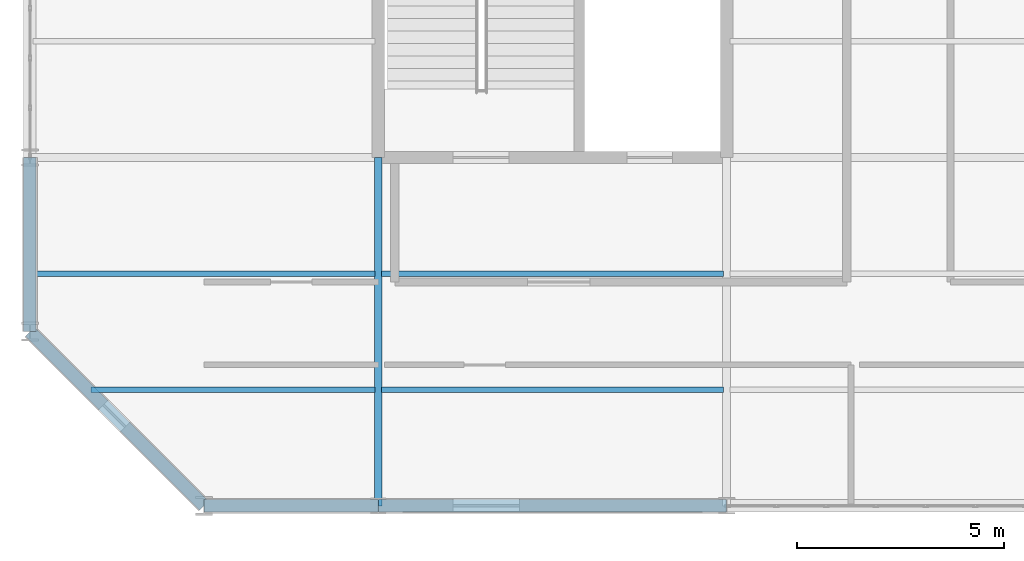
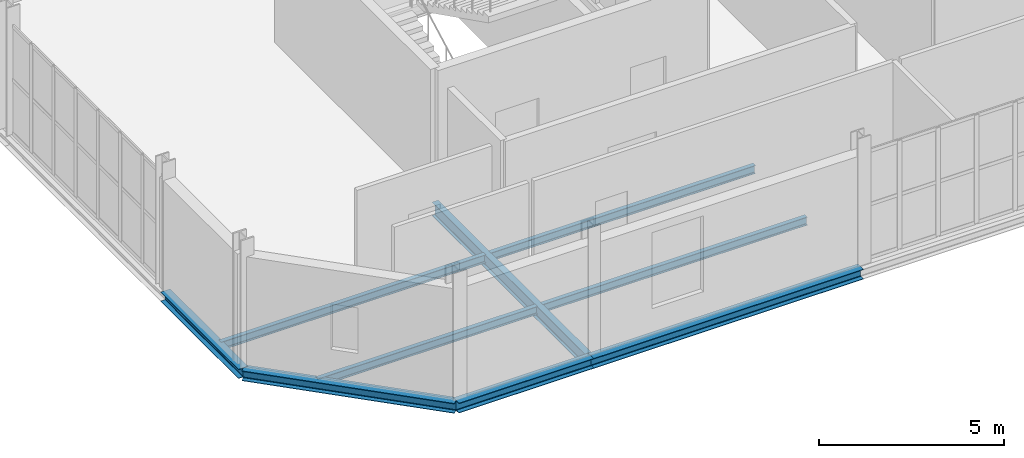
# One storey, part 25 of 163: 9 beams.
"""IFC4 building model written with IfcOpenShell, lengths in metres."""

from ifc_helpers import new_model, si_unit, direction, frame, origin, origin_2d, place, context, subcontext, project, spatial, i_section, extrude, material, material_profile, profile_set, type_object, element, save


model = new_model("IFC4")

# Units and contexts
model_context = context("Model", 3, precision=1e-05, world=origin(), true_north=direction((0.0, 1.0)))
body_context = subcontext(model_context, "Body", "Model", "MODEL_VIEW")
ifc_project = project(units=[si_unit("LENGTHUNIT", "METRE"), si_unit("AREAUNIT", "SQUARE_METRE"), si_unit("VOLUMEUNIT", "CUBIC_METRE"), si_unit("PLANEANGLEUNIT", "RADIAN"), si_unit("MASSUNIT", "GRAM", prefix="KILO")], contexts=[model_context])

# Site, building, storey
site_placement = place(None, origin())
site = spatial("IfcSite", under=ifc_project, at=site_placement, CompositionType="ELEMENT")
building_placement = place(site_placement, origin())
building = spatial("IfcBuilding", under=site, at=building_placement, Name="Qalvenar Corner Mobility Hub", CompositionType="ELEMENT")
storey_placement = place(building_placement, frame((0.0, 0.0, 4.800048828125)))
storey = spatial("IfcBuildingStorey", under=building, at=storey_placement, Name="L01", CompositionType="ELEMENT", Elevation=4.800048828125)

# Beams
ifc_material = material(Name="Steel S355", Category="steel")
ifc_material_profile_1 = material_profile(ifc_material, i_section(OverallWidth=0.18994140625, OverallDepth=0.449951171875, WebThickness=0.009521484375, FlangeThickness=0.0146484375, FilletRadius=0.02099609375, at=origin_2d()), Name="IPE450")
ifc_profile_set_1 = profile_set([ifc_material_profile_1], Name="Steel S355")
beam_type_1 = type_object("IfcBeamType", Name="BM-IPE450", PredefinedType="BEAM", material=ifc_profile_set_1)
beam_1_placement = place(storey_placement, frame((8.39990234375, 0.0, -0.405029296875), z_axis=(0.0, 1.0, 0.0), x_axis=(-1.0, 0.0, 0.0)))
element("IfcBeam", 1, at=beam_1_placement, inside=storey, type_object=beam_type_1, Name="Primary Steel Girder GY-0856", PredefinedType="BEAM", context=body_context, shape_type="SweptSolid", body=[
    extrude(i_section(OverallWidth=0.18994140625, OverallDepth=0.449951171875, WebThickness=0.009521484375, FlangeThickness=0.0146484375, FilletRadius=0.02099609375, at=origin_2d()), origin(), (0.0, 0.0, 1.0), 8.39990234375),
])
ifc_material_profile_2 = material_profile(ifc_material, i_section(OverallWidth=0.135009765625, OverallDepth=0.27001953125, WebThickness=0.006591796875, FlangeThickness=0.01025390625, FilletRadius=0.014892578125, at=origin_2d()), Name="IPE270")
ifc_profile_set_2 = profile_set([ifc_material_profile_2], Name="Steel S355")
beam_type_2 = type_object("IfcBeamType", Name="BM-JST270", PredefinedType="JOIST", material=ifc_profile_set_2)
beam_2_placement = place(storey_placement, frame((1.47802734375, 2.800048828125, -0.31494140625), z_axis=(1.0, 0.0, 0.0), x_axis=(0.0, 1.0, 0.0)))
element("IfcBeam", 2, at=beam_2_placement, inside=storey, type_object=beam_type_2, Name="Composite Floor Joist J-0887", PredefinedType="JOIST", context=body_context, shape_type="SweptSolid", body=[
    extrude(i_section(OverallWidth=0.135009765625, OverallDepth=0.27001953125, WebThickness=0.006591796875, FlangeThickness=0.01025390625, FilletRadius=0.014892578125, at=origin_2d()), origin(), (0.0, 0.0, 1.0), 6.843994140625),
])
beam_3_placement = place(storey_placement, frame((0.077880859375, 5.60009765625, -0.31494140625), z_axis=(1.0, 0.0, 0.0), x_axis=(0.0, 1.0, 0.0)))
element("IfcBeam", 3, at=beam_3_placement, inside=storey, type_object=beam_type_2, Name="Composite Floor Joist J-0888", PredefinedType="JOIST", context=body_context, shape_type="SweptSolid", body=[
    extrude(i_section(OverallWidth=0.135009765625, OverallDepth=0.27001953125, WebThickness=0.006591796875, FlangeThickness=0.01025390625, FilletRadius=0.014892578125, at=origin_2d()), origin(), (0.0, 0.0, 1.0), 8.244140625),
])
for number, where, z_axis, x_axis, name in (
    (4, (8.47802734375, 2.800048828125, -0.31494140625), (1.0, 0.0, 0.0), (0.0, 1.0, 0.0), "Composite Floor Joist J-0897"),
    (5, (8.47802734375, 5.60009765625, -0.31494140625), (1.0, 0.0, 0.0), (0.0, 1.0, 0.0), "Composite Floor Joist J-0898"),
):
    element("IfcBeam", number, at=place(storey_placement, frame(where, z_axis=z_axis, x_axis=x_axis)), inside=storey, type_object=beam_type_2, Name=name, PredefinedType="JOIST", context=body_context, shape_type="SweptSolid", body=[
        extrude(i_section(OverallWidth=0.135009765625, OverallDepth=0.27001953125, WebThickness=0.006591796875, FlangeThickness=0.01025390625, FilletRadius=0.014892578125, at=origin_2d()), origin(), (0.0, 0.0, 1.0), 8.243896484375),
    ])
ifc_material_profile_3 = material_profile(ifc_material, i_section(OverallWidth=0.300048828125, OverallDepth=0.31005859375, WebThickness=0.009033203125, FlangeThickness=0.015380859375, FilletRadius=0.027099609375, at=origin_2d()), Name="HEA320")
ifc_profile_set_3 = profile_set([ifc_material_profile_3], Name="Steel S355")
beam_type_3 = type_object("IfcBeamType", Name="BM-SPN320", PredefinedType="SPANDREL", material=ifc_profile_set_3)
beam_4_placement = place(storey_placement, frame((0.0, 4.199951171875, -0.3349609375), z_axis=(0.0, 1.0, 0.0), x_axis=(-1.0, 0.0, 0.0)))
element("IfcBeam", 6, at=beam_4_placement, inside=storey, type_object=beam_type_3, Name="Primary Steel Girder GY-0851", PredefinedType="SPANDREL", context=body_context, shape_type="SweptSolid", body=[
    extrude(i_section(OverallWidth=0.300048828125, OverallDepth=0.31005859375, WebThickness=0.009033203125, FlangeThickness=0.015380859375, FilletRadius=0.027099609375, at=origin_2d()), origin(), (0.0, 0.0, 1.0), 4.199951171875),
])
ifc_material_profile_4 = material_profile(ifc_material, i_section(OverallWidth=0.300048828125, OverallDepth=0.330078125, WebThickness=0.009521484375, FlangeThickness=0.0166015625, FilletRadius=0.027099609375, at=origin_2d()), Name="HEA340")
ifc_profile_set_4 = profile_set([ifc_material_profile_4], Name="Steel S355")
beam_type_4 = type_object("IfcBeamType", Name="BM-SPN340", PredefinedType="SPANDREL", material=ifc_profile_set_4)
beam_5_placement = place(storey_placement, frame((4.199951171875, 0.0, -0.344970703125), z_axis=(1.0, 0.0, 0.0), x_axis=(0.0, 1.0, 0.0)))
element("IfcBeam", 7, at=beam_5_placement, inside=storey, type_object=beam_type_4, Name="Primary Steel Girder GX-0815", PredefinedType="SPANDREL", context=body_context, shape_type="SweptSolid", body=[
    extrude(i_section(OverallWidth=0.300048828125, OverallDepth=0.330078125, WebThickness=0.009521484375, FlangeThickness=0.0166015625, FilletRadius=0.027099609375, at=origin_2d()), origin(), (0.0, 0.0, 1.0), 4.199951171875),
])
beam_6_placement = place(storey_placement, frame((8.39990234375, 0.0, -0.344970703125), z_axis=(1.0, 0.0, 0.0), x_axis=(0.0, 1.0, 0.0)))
element("IfcBeam", 8, at=beam_6_placement, inside=storey, type_object=beam_type_4, Name="Primary Steel Girder GX-0816", PredefinedType="SPANDREL", context=body_context, shape_type="SweptSolid", body=[
    extrude(i_section(OverallWidth=0.300048828125, OverallDepth=0.330078125, WebThickness=0.009521484375, FlangeThickness=0.0166015625, FilletRadius=0.027099609375, at=origin_2d()), origin(), (0.0, 0.0, 1.0), 8.400146484375),
])
beam_7_placement = place(storey_placement, frame((4.199951171875, 0.0, -0.344970703125), z_axis=(-0.707106781187, 0.707106781187, 0.0), x_axis=(-0.707106781187, -0.707106781187, 0.0)))
element("IfcBeam", 9, at=beam_7_placement, inside=storey, type_object=beam_type_4, Name="Corner Splay Spandrel Girder GSPL-0886", PredefinedType="SPANDREL", context=body_context, shape_type="SweptSolid", body=[
    extrude(i_section(OverallWidth=0.300048828125, OverallDepth=0.330078125, WebThickness=0.009521484375, FlangeThickness=0.0166015625, FilletRadius=0.027099609375, at=origin_2d()), origin(), (0.0, 0.0, 1.0), 5.939697265625),
])

save(model, "model.ifc")
